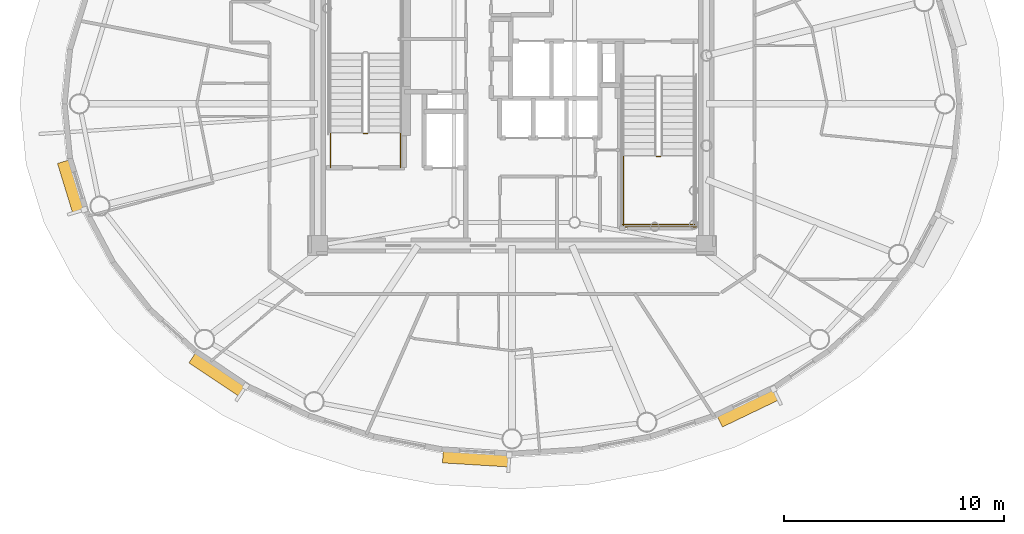
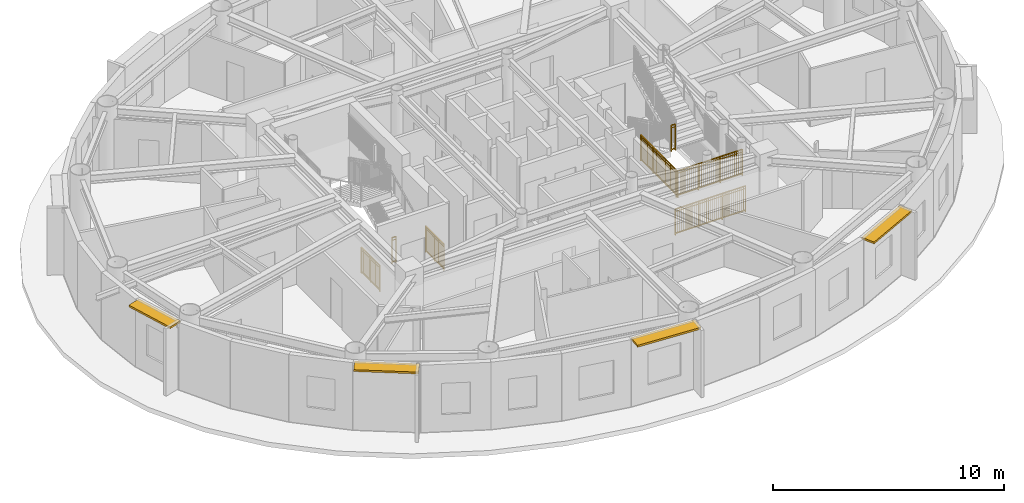
# One storey, part 12 of 17: 7 railings, 4 shading devices.
"""IFC4 building model written with IfcOpenShell, lengths in metres."""

from ifc_helpers import new_model, si_unit, direction, frame, origin, origin_2d, place, context, subcontext, project, spatial, rectangle, extrude, source, transform, mapped, material, layer, layer_set, type_object, element, save


model = new_model("IFC4")

# Units and contexts
model_context = context("Model", 3, precision=1e-05, world=origin(), true_north=direction((0.0, 1.0)))
body_context = subcontext(model_context, "Body", "Model", "MODEL_VIEW")
ifc_project = project(units=[si_unit("LENGTHUNIT", "METRE"), si_unit("AREAUNIT", "SQUARE_METRE"), si_unit("VOLUMEUNIT", "CUBIC_METRE"), si_unit("PLANEANGLEUNIT", "RADIAN"), si_unit("MASSUNIT", "GRAM", prefix="KILO")], contexts=[model_context])

# Site, building, storey
site_placement = place(None, origin())
site = spatial("IfcSite", under=ifc_project, at=site_placement, CompositionType="ELEMENT")
building_placement = place(site_placement, origin())
building = spatial("IfcBuilding", under=site, at=building_placement, Name="Linh Dai School and Residence Tower", CompositionType="ELEMENT")
storey_placement = place(building_placement, frame((0.0, 0.0, 324.0)))
storey = spatial("IfcBuildingStorey", under=building, at=storey_placement, Name="L80", CompositionType="ELEMENT", Elevation=324.0)

# Shading devices
ifc_material_1 = material(Name="Terracotta Ceramic Sunshade", Category="masonry")
ifc_layer = layer(ifc_material_1, 0.10009765625)
ifc_layer_set = layer_set([ifc_layer], Name="Terracotta Ceramic Sunshade")
shading_device_type = type_object("IfcShadingDeviceType", Name="SHD-TC-650", PredefinedType="USERDEFINED", material=ifc_layer_set)
shared_shape_1 = source(origin(), body_context, "Body", "SweptSolid", [
    extrude(rectangle(XDim=2.4365234375, YDim=0.64990234375, at=origin_2d()), origin(), (0.0, 0.0, 1.0), 0.10009765625),
])
shading_device_1_placement = place(storey_placement, frame((15.974365234375, 23.21630859375, 3.429931640625), z_axis=(0.0, 0.0, 1.0), x_axis=(-0.293094784248, 0.956083389379, 0.0)))
element("IfcShadingDevice", 1, at=shading_device_1_placement, inside=storey, type_object=shading_device_type, Name="L80 Terracotta Horizontal Sunshade Band 22", ObjectType="SUNSHADE", PredefinedType="USERDEFINED", context=body_context, shape_type="MappedRepresentation", body=[
    mapped(shared_shape_1, transform((0.0, 0.0, 0.0), x_axis=(1.0, 0.0, 0.0), y_axis=(0.0, 1.0, 0.0), z_axis=(0.0, 0.0, 1.0), scale=1.0)),
])
shared_shape_2 = source(origin(), body_context, "Body", "SweptSolid", [
    extrude(rectangle(XDim=2.8076171875, YDim=0.64990234375, at=origin_2d()), origin(), (0.0, 0.0, 1.0), 0.10009765625),
])
shading_device_2_placement = place(storey_placement, frame((22.638427734375, 14.696044921875, 3.429931640625), z_axis=(0.0, 0.0, 1.0), x_axis=(-0.831201837679, 0.555970777144, 0.0)))
element("IfcShadingDevice", 2, at=shading_device_2_placement, inside=storey, type_object=shading_device_type, Name="L80 Terracotta Horizontal Sunshade Band 26", ObjectType="SUNSHADE", PredefinedType="USERDEFINED", context=body_context, shape_type="MappedRepresentation", body=[
    mapped(shared_shape_2, transform((0.0, 0.0, 0.0), x_axis=(1.0, 0.0, 0.0), y_axis=(0.0, 1.0, 0.0), z_axis=(0.0, 0.0, 1.0), scale=1.0)),
])
shared_shape_3 = source(origin(), body_context, "Body", "SweptSolid", [
    extrude(rectangle(XDim=3.069580078125, YDim=0.64990234375, at=origin_2d()), origin(), (0.0, 0.0, 1.0), 0.10009765625),
])
shading_device_3_placement = place(storey_placement, frame((34.38671875, 10.8837890625, 3.429931640625), z_axis=(0.0, 0.0, 1.0), x_axis=(-0.998105945335, 0.061518467854, 0.0)))
element("IfcShadingDevice", 3, at=shading_device_3_placement, inside=storey, type_object=shading_device_type, Name="L80 Terracotta Horizontal Sunshade Band 30", ObjectType="SUNSHADE", PredefinedType="USERDEFINED", context=body_context, shape_type="MappedRepresentation", body=[
    mapped(shared_shape_3, transform((0.0, 0.0, 0.0), x_axis=(1.0, 0.0, 0.0), y_axis=(0.0, 1.0, 0.0), z_axis=(0.0, 0.0, 1.0), scale=1.0)),
])
shared_shape_4 = source(origin(), body_context, "Body", "SweptSolid", [
    extrude(rectangle(XDim=2.904052734375, YDim=0.64990234375, at=origin_2d()), origin(), (0.0, 0.0, 1.0), 0.10009765625),
])
shading_device_4_placement = place(storey_placement, frame((46.74755859375, 13.20849609375, 3.429931640625), z_axis=(0.0, 0.0, 1.0), x_axis=(-0.901550652892, -0.432673572419, 0.0)))
element("IfcShadingDevice", 4, at=shading_device_4_placement, inside=storey, type_object=shading_device_type, Name="L80 Terracotta Horizontal Sunshade Band 34", ObjectType="SUNSHADE", PredefinedType="USERDEFINED", context=body_context, shape_type="MappedRepresentation", body=[
    mapped(shared_shape_4, transform((0.0, 0.0, 0.0), x_axis=(1.0, 0.0, 0.0), y_axis=(0.0, 1.0, 0.0), z_axis=(0.0, 0.0, 1.0), scale=1.0)),
])

# Railings
ifc_material_2 = material(Name="Structural Steel S355JR", Category="steel")
railing_type = type_object("IfcRailingType", Name="RL-ST-GUARD-1400", PredefinedType="GUARDRAIL", material=ifc_material_2)
shared_shape_5 = source(origin(), body_context, "Body", "SweptSolid", [
    extrude(rectangle(XDim=0.048095703125, YDim=0.048095703125, at=origin_2d()), frame((0.0, 0.0, 1.3759765625), z_axis=(-1.0, 0.0, 0.0), x_axis=(0.0, -1.0, 0.0)), (0.0, 0.0, 1.0), 0.199951171875),
    extrude(rectangle(XDim=0.048095703125, YDim=0.048095703125, at=origin_2d()), frame((0.0, 0.0, 0.10009765625), z_axis=(-1.0, 0.0, 0.0), x_axis=(0.0, -1.0, 0.0)), (0.0, 0.0, 1.0), 0.199951171875),
    extrude(rectangle(XDim=0.030029296875, YDim=0.030029296875, at=origin_2d()), frame((0.0, 0.0, 1.239990234375), z_axis=(-1.0, 0.0, 0.0), x_axis=(0.0, -1.0, 0.0)), (0.0, 0.0, 1.0), 0.199951171875),
    extrude(rectangle(XDim=0.0419921875, YDim=0.0419921875, at=origin_2d()), origin(), (0.0, 0.0, 1.0), 1.3759765625),
    extrude(rectangle(XDim=0.0419921875, YDim=0.0419921875, at=origin_2d()), frame((-0.199951171875, 0.0, 0.0)), (0.0, 0.0, 1.0), 1.3759765625),
])
railing_1_placement = place(storey_placement, frame((29.429931640625, 25.64990234375, 0.0)))
element("IfcRailing", 5, at=railing_1_placement, inside=storey, type_object=railing_type, Name="L80 ST1 stair guard 7", PredefinedType="GUARDRAIL", context=body_context, shape_type="MappedRepresentation", body=[
    mapped(shared_shape_5, transform((0.0, 0.0, 0.0), x_axis=(1.0, 0.0, 0.0), y_axis=(0.0, 1.0, 0.0), z_axis=(0.0, 0.0, 1.0), scale=1.0)),
])
shared_shape_6 = source(origin(), body_context, "Body", "SweptSolid", [
    extrude(rectangle(XDim=0.048095703125, YDim=0.048095703125, at=origin_2d()), frame((0.0, 0.0, 1.3759765625), z_axis=(0.0, 1.0, 0.0), x_axis=(-1.0, 0.0, 0.0)), (0.0, 0.0, 1.0), 1.599853515625),
    extrude(rectangle(XDim=0.048095703125, YDim=0.048095703125, at=origin_2d()), frame((0.0, 0.0, 0.10009765625), z_axis=(0.0, 1.0, 0.0), x_axis=(-1.0, 0.0, 0.0)), (0.0, 0.0, 1.0), 1.599853515625),
    extrude(rectangle(XDim=0.030029296875, YDim=0.030029296875, at=origin_2d()), frame((0.0, 0.0, 1.239990234375), z_axis=(0.0, 1.0, 0.0), x_axis=(-1.0, 0.0, 0.0)), (0.0, 0.0, 1.0), 1.599853515625),
    extrude(rectangle(XDim=0.02001953125, YDim=0.02001953125, at=origin_2d()), frame((0.0, 0.093994140625, 0.10009765625)), (0.0, 0.0, 1.0), 1.251708984375),
    extrude(rectangle(XDim=0.02001953125, YDim=0.02001953125, at=origin_2d()), frame((0.0, 0.188232421875, 0.10009765625)), (0.0, 0.0, 1.0), 1.251708984375),
    extrude(rectangle(XDim=0.02001953125, YDim=0.02001953125, at=origin_2d()), frame((0.0, 0.2822265625, 0.10009765625)), (0.0, 0.0, 1.0), 1.251708984375),
    extrude(rectangle(XDim=0.02001953125, YDim=0.02001953125, at=origin_2d()), frame((0.0, 0.37646484375, 0.10009765625)), (0.0, 0.0, 1.0), 1.251708984375),
    extrude(rectangle(XDim=0.02001953125, YDim=0.02001953125, at=origin_2d()), frame((0.0, 0.470458984375, 0.10009765625)), (0.0, 0.0, 1.0), 1.251708984375),
    extrude(rectangle(XDim=0.02001953125, YDim=0.02001953125, at=origin_2d()), frame((0.0, 0.564697265625, 0.10009765625)), (0.0, 0.0, 1.0), 1.251708984375),
    extrude(rectangle(XDim=0.02001953125, YDim=0.02001953125, at=origin_2d()), frame((0.0, 0.65869140625, 0.10009765625)), (0.0, 0.0, 1.0), 1.251708984375),
    extrude(rectangle(XDim=0.02001953125, YDim=0.02001953125, at=origin_2d()), frame((0.0, 0.7529296875, 0.10009765625)), (0.0, 0.0, 1.0), 1.251708984375),
    extrude(rectangle(XDim=0.02001953125, YDim=0.02001953125, at=origin_2d()), frame((0.0, 0.846923828125, 0.10009765625)), (0.0, 0.0, 1.0), 1.251708984375),
    extrude(rectangle(XDim=0.02001953125, YDim=0.02001953125, at=origin_2d()), frame((0.0, 0.941162109375, 0.10009765625)), (0.0, 0.0, 1.0), 1.251708984375),
    extrude(rectangle(XDim=0.02001953125, YDim=0.02001953125, at=origin_2d()), frame((0.0, 1.03515625, 0.10009765625)), (0.0, 0.0, 1.0), 1.251708984375),
    extrude(rectangle(XDim=0.02001953125, YDim=0.02001953125, at=origin_2d()), frame((0.0, 1.12939453125, 0.10009765625)), (0.0, 0.0, 1.0), 1.251708984375),
    extrude(rectangle(XDim=0.02001953125, YDim=0.02001953125, at=origin_2d()), frame((0.0, 1.223388671875, 0.10009765625)), (0.0, 0.0, 1.0), 1.251708984375),
    extrude(rectangle(XDim=0.02001953125, YDim=0.02001953125, at=origin_2d()), frame((0.0, 1.317626953125, 0.10009765625)), (0.0, 0.0, 1.0), 1.251708984375),
    extrude(rectangle(XDim=0.02001953125, YDim=0.02001953125, at=origin_2d()), frame((0.0, 1.41162109375, 0.10009765625)), (0.0, 0.0, 1.0), 1.251708984375),
    extrude(rectangle(XDim=0.02001953125, YDim=0.02001953125, at=origin_2d()), frame((0.0, 1.505859375, 0.10009765625)), (0.0, 0.0, 1.0), 1.251708984375),
    extrude(rectangle(XDim=0.0419921875, YDim=0.0419921875, at=origin_2d()), origin(), (0.0, 0.0, 1.0), 1.3759765625),
    extrude(rectangle(XDim=0.0419921875, YDim=0.0419921875, at=origin_2d()), frame((0.0, 0.7998046875, 0.0)), (0.0, 0.0, 1.0), 1.3759765625),
    extrude(rectangle(XDim=0.0419921875, YDim=0.0419921875, at=origin_2d()), frame((0.0, 1.599853515625, 0.0)), (0.0, 0.0, 1.0), 1.3759765625),
])
for number, where, name in (
    (6, (30.929931640625, 24.10009765625, 0.0), "L80 ST1 stair guard 8"),
    (7, (27.72998046875, 24.10009765625, 0.0), "L80 ST1 stair guard 9"),
):
    element("IfcRailing", number, at=place(storey_placement, frame(where)), inside=storey, type_object=railing_type, Name=name, PredefinedType="GUARDRAIL", context=body_context, shape_type="MappedRepresentation", body=[
        mapped(shared_shape_6, transform((0.0, 0.0, 0.0), x_axis=(1.0, 0.0, 0.0), y_axis=(0.0, 1.0, 0.0), z_axis=(0.0, 0.0, 1.0), scale=1.0)),
    ])
shared_shape_7 = source(origin(), body_context, "Body", "SweptSolid", [
    extrude(rectangle(XDim=0.048095703125, YDim=0.048095703125, at=origin_2d()), frame((0.0, 0.0, 1.3759765625), z_axis=(1.0, 0.0, 0.0), x_axis=(0.0, 1.0, 0.0)), (0.0, 0.0, 1.0), 0.199951171875),
    extrude(rectangle(XDim=0.048095703125, YDim=0.048095703125, at=origin_2d()), frame((0.0, 0.0, 0.10009765625), z_axis=(1.0, 0.0, 0.0), x_axis=(0.0, 1.0, 0.0)), (0.0, 0.0, 1.0), 0.199951171875),
    extrude(rectangle(XDim=0.030029296875, YDim=0.030029296875, at=origin_2d()), frame((0.0, 0.0, 1.239990234375), z_axis=(1.0, 0.0, 0.0), x_axis=(0.0, 1.0, 0.0)), (0.0, 0.0, 1.0), 0.199951171875),
    extrude(rectangle(XDim=0.0419921875, YDim=0.0419921875, at=origin_2d()), origin(), (0.0, 0.0, 1.0), 1.3759765625),
    extrude(rectangle(XDim=0.0419921875, YDim=0.0419921875, at=origin_2d()), frame((0.199951171875, 0.0, 0.0)), (0.0, 0.0, 1.0), 1.3759765625),
])
railing_2_placement = place(storey_placement, frame((42.570068359375, 24.60009765625, 1.89990234375)))
element("IfcRailing", 8, at=railing_2_placement, inside=storey, type_object=railing_type, Name="L80 ST2 stair guard 2", PredefinedType="GUARDRAIL", context=body_context, shape_type="MappedRepresentation", body=[
    mapped(shared_shape_7, transform((0.0, 0.0, 0.0), x_axis=(1.0, 0.0, 0.0), y_axis=(0.0, 1.0, 0.0), z_axis=(0.0, 0.0, 1.0), scale=1.0)),
])
shared_shape_8 = source(origin(), body_context, "Body", "SweptSolid", [
    extrude(rectangle(XDim=0.048095703125, YDim=0.048095703125, at=origin_2d()), frame((0.0, 0.0, 1.3759765625), z_axis=(1.0, 0.0, 0.0), x_axis=(0.0, 1.0, 0.0)), (0.0, 0.0, 1.0), 3.300048828125),
    extrude(rectangle(XDim=0.048095703125, YDim=0.048095703125, at=origin_2d()), frame((0.0, 0.0, 0.10009765625), z_axis=(1.0, 0.0, 0.0), x_axis=(0.0, 1.0, 0.0)), (0.0, 0.0, 1.0), 3.300048828125),
    extrude(rectangle(XDim=0.030029296875, YDim=0.030029296875, at=origin_2d()), frame((0.0, 0.0, 1.239990234375), z_axis=(1.0, 0.0, 0.0), x_axis=(0.0, 1.0, 0.0)), (0.0, 0.0, 1.0), 3.300048828125),
    extrude(rectangle(XDim=0.02001953125, YDim=0.02001953125, at=origin_2d()), frame((0.09716796875, 0.0, 0.10009765625)), (0.0, 0.0, 1.0), 1.251708984375),
    extrude(rectangle(XDim=0.02001953125, YDim=0.02001953125, at=origin_2d()), frame((0.194091796875, 0.0, 0.10009765625)), (0.0, 0.0, 1.0), 1.251708984375),
    extrude(rectangle(XDim=0.02001953125, YDim=0.02001953125, at=origin_2d()), frame((0.291259765625, 0.0, 0.10009765625)), (0.0, 0.0, 1.0), 1.251708984375),
    extrude(rectangle(XDim=0.02001953125, YDim=0.02001953125, at=origin_2d()), frame((0.38818359375, 0.0, 0.10009765625)), (0.0, 0.0, 1.0), 1.251708984375),
    extrude(rectangle(XDim=0.02001953125, YDim=0.02001953125, at=origin_2d()), frame((0.4853515625, 0.0, 0.10009765625)), (0.0, 0.0, 1.0), 1.251708984375),
    extrude(rectangle(XDim=0.02001953125, YDim=0.02001953125, at=origin_2d()), frame((0.582275390625, 0.0, 0.10009765625)), (0.0, 0.0, 1.0), 1.251708984375),
    extrude(rectangle(XDim=0.02001953125, YDim=0.02001953125, at=origin_2d()), frame((0.679443359375, 0.0, 0.10009765625)), (0.0, 0.0, 1.0), 1.251708984375),
    extrude(rectangle(XDim=0.02001953125, YDim=0.02001953125, at=origin_2d()), frame((0.7763671875, 0.0, 0.10009765625)), (0.0, 0.0, 1.0), 1.251708984375),
    extrude(rectangle(XDim=0.02001953125, YDim=0.02001953125, at=origin_2d()), frame((0.87353515625, 0.0, 0.10009765625)), (0.0, 0.0, 1.0), 1.251708984375),
    extrude(rectangle(XDim=0.02001953125, YDim=0.02001953125, at=origin_2d()), frame((0.970703125, 0.0, 0.10009765625)), (0.0, 0.0, 1.0), 1.251708984375),
    extrude(rectangle(XDim=0.02001953125, YDim=0.02001953125, at=origin_2d()), frame((1.164794921875, 0.0, 0.10009765625)), (0.0, 0.0, 1.0), 1.251708984375),
    extrude(rectangle(XDim=0.02001953125, YDim=0.02001953125, at=origin_2d()), frame((1.26171875, 0.0, 0.10009765625)), (0.0, 0.0, 1.0), 1.251708984375),
    extrude(rectangle(XDim=0.02001953125, YDim=0.02001953125, at=origin_2d()), frame((1.35888671875, 0.0, 0.10009765625)), (0.0, 0.0, 1.0), 1.251708984375),
    extrude(rectangle(XDim=0.02001953125, YDim=0.02001953125, at=origin_2d()), frame((1.455810546875, 0.0, 0.10009765625)), (0.0, 0.0, 1.0), 1.251708984375),
    extrude(rectangle(XDim=0.02001953125, YDim=0.02001953125, at=origin_2d()), frame((1.552978515625, 0.0, 0.10009765625)), (0.0, 0.0, 1.0), 1.251708984375),
    extrude(rectangle(XDim=0.02001953125, YDim=0.02001953125, at=origin_2d()), frame((1.64990234375, 0.0, 0.10009765625)), (0.0, 0.0, 1.0), 1.251708984375),
    extrude(rectangle(XDim=0.02001953125, YDim=0.02001953125, at=origin_2d()), frame((1.7470703125, 0.0, 0.10009765625)), (0.0, 0.0, 1.0), 1.251708984375),
    extrude(rectangle(XDim=0.02001953125, YDim=0.02001953125, at=origin_2d()), frame((1.84423828125, 0.0, 0.10009765625)), (0.0, 0.0, 1.0), 1.251708984375),
    extrude(rectangle(XDim=0.02001953125, YDim=0.02001953125, at=origin_2d()), frame((1.941162109375, 0.0, 0.10009765625)), (0.0, 0.0, 1.0), 1.251708984375),
    extrude(rectangle(XDim=0.02001953125, YDim=0.02001953125, at=origin_2d()), frame((2.038330078125, 0.0, 0.10009765625)), (0.0, 0.0, 1.0), 1.251708984375),
    extrude(rectangle(XDim=0.02001953125, YDim=0.02001953125, at=origin_2d()), frame((2.13525390625, 0.0, 0.10009765625)), (0.0, 0.0, 1.0), 1.251708984375),
    extrude(rectangle(XDim=0.02001953125, YDim=0.02001953125, at=origin_2d()), frame((2.329345703125, 0.0, 0.10009765625)), (0.0, 0.0, 1.0), 1.251708984375),
    extrude(rectangle(XDim=0.02001953125, YDim=0.02001953125, at=origin_2d()), frame((2.426513671875, 0.0, 0.10009765625)), (0.0, 0.0, 1.0), 1.251708984375),
    extrude(rectangle(XDim=0.02001953125, YDim=0.02001953125, at=origin_2d()), frame((2.523681640625, 0.0, 0.10009765625)), (0.0, 0.0, 1.0), 1.251708984375),
    extrude(rectangle(XDim=0.02001953125, YDim=0.02001953125, at=origin_2d()), frame((2.62060546875, 0.0, 0.10009765625)), (0.0, 0.0, 1.0), 1.251708984375),
    extrude(rectangle(XDim=0.02001953125, YDim=0.02001953125, at=origin_2d()), frame((2.7177734375, 0.0, 0.10009765625)), (0.0, 0.0, 1.0), 1.251708984375),
    extrude(rectangle(XDim=0.02001953125, YDim=0.02001953125, at=origin_2d()), frame((2.814697265625, 0.0, 0.10009765625)), (0.0, 0.0, 1.0), 1.251708984375),
    extrude(rectangle(XDim=0.02001953125, YDim=0.02001953125, at=origin_2d()), frame((2.911865234375, 0.0, 0.10009765625)), (0.0, 0.0, 1.0), 1.251708984375),
    extrude(rectangle(XDim=0.02001953125, YDim=0.02001953125, at=origin_2d()), frame((3.0087890625, 0.0, 0.10009765625)), (0.0, 0.0, 1.0), 1.251708984375),
    extrude(rectangle(XDim=0.02001953125, YDim=0.02001953125, at=origin_2d()), frame((3.10595703125, 0.0, 0.10009765625)), (0.0, 0.0, 1.0), 1.251708984375),
    extrude(rectangle(XDim=0.02001953125, YDim=0.02001953125, at=origin_2d()), frame((3.202880859375, 0.0, 0.10009765625)), (0.0, 0.0, 1.0), 1.251708984375),
    extrude(rectangle(XDim=0.0419921875, YDim=0.0419921875, at=origin_2d()), origin(), (0.0, 0.0, 1.0), 1.3759765625),
    extrude(rectangle(XDim=0.0419921875, YDim=0.0419921875, at=origin_2d()), frame((1.10009765625, 0.0, 0.0)), (0.0, 0.0, 1.0), 1.3759765625),
    extrude(rectangle(XDim=0.0419921875, YDim=0.0419921875, at=origin_2d()), frame((2.199951171875, 0.0, 0.0)), (0.0, 0.0, 1.0), 1.3759765625),
    extrude(rectangle(XDim=0.0419921875, YDim=0.0419921875, at=origin_2d()), frame((3.300048828125, 0.0, 0.0)), (0.0, 0.0, 1.0), 1.3759765625),
])
railing_3_placement = place(storey_placement, frame((41.02001953125, 21.5, 1.89990234375)))
element("IfcRailing", 9, at=railing_3_placement, inside=storey, type_object=railing_type, Name="L80 ST2 stair guard 5", PredefinedType="GUARDRAIL", context=body_context, shape_type="MappedRepresentation", body=[
    mapped(shared_shape_8, transform((0.0, 0.0, 0.0), x_axis=(1.0, 0.0, 0.0), y_axis=(0.0, 1.0, 0.0), z_axis=(0.0, 0.0, 1.0), scale=1.0)),
])
shared_shape_9 = source(origin(), body_context, "Body", "SweptSolid", [
    extrude(rectangle(XDim=0.048095703125, YDim=0.048095703125, at=origin_2d()), frame((0.0, 0.0, 1.3759765625), z_axis=(1.0, 0.0, 0.0), x_axis=(0.0, 1.0, 0.0)), (0.0, 0.0, 1.0), 3.5),
    extrude(rectangle(XDim=0.048095703125, YDim=0.048095703125, at=origin_2d()), frame((0.0, 0.0, 0.10009765625), z_axis=(1.0, 0.0, 0.0), x_axis=(0.0, 1.0, 0.0)), (0.0, 0.0, 1.0), 3.5),
    extrude(rectangle(XDim=0.030029296875, YDim=0.030029296875, at=origin_2d()), frame((0.0, 0.0, 1.239990234375), z_axis=(1.0, 0.0, 0.0), x_axis=(0.0, 1.0, 0.0)), (0.0, 0.0, 1.0), 3.5),
    extrude(rectangle(XDim=0.02001953125, YDim=0.02001953125, at=origin_2d()), frame((0.09716796875, 0.0, 0.10009765625)), (0.0, 0.0, 1.0), 1.251708984375),
    extrude(rectangle(XDim=0.02001953125, YDim=0.02001953125, at=origin_2d()), frame((0.1943359375, 0.0, 0.10009765625)), (0.0, 0.0, 1.0), 1.251708984375),
    extrude(rectangle(XDim=0.02001953125, YDim=0.02001953125, at=origin_2d()), frame((0.291748046875, 0.0, 0.10009765625)), (0.0, 0.0, 1.0), 1.251708984375),
    extrude(rectangle(XDim=0.02001953125, YDim=0.02001953125, at=origin_2d()), frame((0.388916015625, 0.0, 0.10009765625)), (0.0, 0.0, 1.0), 1.251708984375),
    extrude(rectangle(XDim=0.02001953125, YDim=0.02001953125, at=origin_2d()), frame((0.486083984375, 0.0, 0.10009765625)), (0.0, 0.0, 1.0), 1.251708984375),
    extrude(rectangle(XDim=0.02001953125, YDim=0.02001953125, at=origin_2d()), frame((0.583251953125, 0.0, 0.10009765625)), (0.0, 0.0, 1.0), 1.251708984375),
    extrude(rectangle(XDim=0.02001953125, YDim=0.02001953125, at=origin_2d()), frame((0.6806640625, 0.0, 0.10009765625)), (0.0, 0.0, 1.0), 1.251708984375),
    extrude(rectangle(XDim=0.02001953125, YDim=0.02001953125, at=origin_2d()), frame((0.77783203125, 0.0, 0.10009765625)), (0.0, 0.0, 1.0), 1.251708984375),
    extrude(rectangle(XDim=0.02001953125, YDim=0.02001953125, at=origin_2d()), frame((0.875, 0.0, 0.10009765625)), (0.0, 0.0, 1.0), 1.251708984375),
    extrude(rectangle(XDim=0.02001953125, YDim=0.02001953125, at=origin_2d()), frame((0.97216796875, 0.0, 0.10009765625)), (0.0, 0.0, 1.0), 1.251708984375),
    extrude(rectangle(XDim=0.02001953125, YDim=0.02001953125, at=origin_2d()), frame((1.0693359375, 0.0, 0.10009765625)), (0.0, 0.0, 1.0), 1.251708984375),
    extrude(rectangle(XDim=0.02001953125, YDim=0.02001953125, at=origin_2d()), frame((1.263916015625, 0.0, 0.10009765625)), (0.0, 0.0, 1.0), 1.251708984375),
    extrude(rectangle(XDim=0.02001953125, YDim=0.02001953125, at=origin_2d()), frame((1.361083984375, 0.0, 0.10009765625)), (0.0, 0.0, 1.0), 1.251708984375),
    extrude(rectangle(XDim=0.02001953125, YDim=0.02001953125, at=origin_2d()), frame((1.458251953125, 0.0, 0.10009765625)), (0.0, 0.0, 1.0), 1.251708984375),
    extrude(rectangle(XDim=0.02001953125, YDim=0.02001953125, at=origin_2d()), frame((1.5556640625, 0.0, 0.10009765625)), (0.0, 0.0, 1.0), 1.251708984375),
    extrude(rectangle(XDim=0.02001953125, YDim=0.02001953125, at=origin_2d()), frame((1.65283203125, 0.0, 0.10009765625)), (0.0, 0.0, 1.0), 1.251708984375),
    extrude(rectangle(XDim=0.02001953125, YDim=0.02001953125, at=origin_2d()), frame((1.75, 0.0, 0.10009765625)), (0.0, 0.0, 1.0), 1.251708984375),
    extrude(rectangle(XDim=0.02001953125, YDim=0.02001953125, at=origin_2d()), frame((1.84716796875, 0.0, 0.10009765625)), (0.0, 0.0, 1.0), 1.251708984375),
    extrude(rectangle(XDim=0.02001953125, YDim=0.02001953125, at=origin_2d()), frame((1.9443359375, 0.0, 0.10009765625)), (0.0, 0.0, 1.0), 1.251708984375),
    extrude(rectangle(XDim=0.02001953125, YDim=0.02001953125, at=origin_2d()), frame((2.041748046875, 0.0, 0.10009765625)), (0.0, 0.0, 1.0), 1.251708984375),
    extrude(rectangle(XDim=0.02001953125, YDim=0.02001953125, at=origin_2d()), frame((2.138916015625, 0.0, 0.10009765625)), (0.0, 0.0, 1.0), 1.251708984375),
    extrude(rectangle(XDim=0.02001953125, YDim=0.02001953125, at=origin_2d()), frame((2.236083984375, 0.0, 0.10009765625)), (0.0, 0.0, 1.0), 1.251708984375),
    extrude(rectangle(XDim=0.02001953125, YDim=0.02001953125, at=origin_2d()), frame((2.4306640625, 0.0, 0.10009765625)), (0.0, 0.0, 1.0), 1.251708984375),
    extrude(rectangle(XDim=0.02001953125, YDim=0.02001953125, at=origin_2d()), frame((2.52783203125, 0.0, 0.10009765625)), (0.0, 0.0, 1.0), 1.251708984375),
    extrude(rectangle(XDim=0.02001953125, YDim=0.02001953125, at=origin_2d()), frame((2.625, 0.0, 0.10009765625)), (0.0, 0.0, 1.0), 1.251708984375),
    extrude(rectangle(XDim=0.02001953125, YDim=0.02001953125, at=origin_2d()), frame((2.72216796875, 0.0, 0.10009765625)), (0.0, 0.0, 1.0), 1.251708984375),
    extrude(rectangle(XDim=0.02001953125, YDim=0.02001953125, at=origin_2d()), frame((2.8193359375, 0.0, 0.10009765625)), (0.0, 0.0, 1.0), 1.251708984375),
    extrude(rectangle(XDim=0.02001953125, YDim=0.02001953125, at=origin_2d()), frame((2.916748046875, 0.0, 0.10009765625)), (0.0, 0.0, 1.0), 1.251708984375),
    extrude(rectangle(XDim=0.02001953125, YDim=0.02001953125, at=origin_2d()), frame((3.013916015625, 0.0, 0.10009765625)), (0.0, 0.0, 1.0), 1.251708984375),
    extrude(rectangle(XDim=0.02001953125, YDim=0.02001953125, at=origin_2d()), frame((3.111083984375, 0.0, 0.10009765625)), (0.0, 0.0, 1.0), 1.251708984375),
    extrude(rectangle(XDim=0.02001953125, YDim=0.02001953125, at=origin_2d()), frame((3.208251953125, 0.0, 0.10009765625)), (0.0, 0.0, 1.0), 1.251708984375),
    extrude(rectangle(XDim=0.02001953125, YDim=0.02001953125, at=origin_2d()), frame((3.3056640625, 0.0, 0.10009765625)), (0.0, 0.0, 1.0), 1.251708984375),
    extrude(rectangle(XDim=0.02001953125, YDim=0.02001953125, at=origin_2d()), frame((3.40283203125, 0.0, 0.10009765625)), (0.0, 0.0, 1.0), 1.251708984375),
    extrude(rectangle(XDim=0.0419921875, YDim=0.0419921875, at=origin_2d()), origin(), (0.0, 0.0, 1.0), 1.3759765625),
    extrude(rectangle(XDim=0.0419921875, YDim=0.0419921875, at=origin_2d()), frame((1.166748046875, 0.0, 0.0)), (0.0, 0.0, 1.0), 1.3759765625),
    extrude(rectangle(XDim=0.0419921875, YDim=0.0419921875, at=origin_2d()), frame((2.333251953125, 0.0, 0.0)), (0.0, 0.0, 1.0), 1.3759765625),
    extrude(rectangle(XDim=0.0419921875, YDim=0.0419921875, at=origin_2d()), frame((3.5, 0.0, 0.0)), (0.0, 0.0, 1.0), 1.3759765625),
])
railing_4_placement = place(storey_placement, frame((40.919921875, 21.39990234375, 0.0)))
element("IfcRailing", 10, at=railing_4_placement, inside=storey, type_object=railing_type, Name="L80 ST2 stair guard 12", PredefinedType="GUARDRAIL", context=body_context, shape_type="MappedRepresentation", body=[
    mapped(shared_shape_9, transform((0.0, 0.0, 0.0), x_axis=(1.0, 0.0, 0.0), y_axis=(0.0, 1.0, 0.0), z_axis=(0.0, 0.0, 1.0), scale=1.0)),
])
shared_shape_10 = source(origin(), body_context, "Body", "SweptSolid", [
    extrude(rectangle(XDim=0.048095703125, YDim=0.048095703125, at=origin_2d()), frame((0.0, 0.0, 1.3759765625), z_axis=(0.0, -1.0, 0.0), x_axis=(1.0, 0.0, 0.0)), (0.0, 0.0, 1.0), 3.199951171875),
    extrude(rectangle(XDim=0.048095703125, YDim=0.048095703125, at=origin_2d()), frame((0.0, 0.0, 0.10009765625), z_axis=(0.0, -1.0, 0.0), x_axis=(1.0, 0.0, 0.0)), (0.0, 0.0, 1.0), 3.199951171875),
    extrude(rectangle(XDim=0.030029296875, YDim=0.030029296875, at=origin_2d()), frame((0.0, 0.0, 1.239990234375), z_axis=(0.0, -1.0, 0.0), x_axis=(1.0, 0.0, 0.0)), (0.0, 0.0, 1.0), 3.199951171875),
    extrude(rectangle(XDim=0.02001953125, YDim=0.02001953125, at=origin_2d()), frame((0.0, -0.096923828125, 0.10009765625)), (0.0, 0.0, 1.0), 1.251708984375),
    extrude(rectangle(XDim=0.02001953125, YDim=0.02001953125, at=origin_2d()), frame((0.0, -0.19384765625, 0.10009765625)), (0.0, 0.0, 1.0), 1.251708984375),
    extrude(rectangle(XDim=0.02001953125, YDim=0.02001953125, at=origin_2d()), frame((0.0, -0.291015625, 0.10009765625)), (0.0, 0.0, 1.0), 1.251708984375),
    extrude(rectangle(XDim=0.02001953125, YDim=0.02001953125, at=origin_2d()), frame((0.0, -0.387939453125, 0.10009765625)), (0.0, 0.0, 1.0), 1.251708984375),
    extrude(rectangle(XDim=0.02001953125, YDim=0.02001953125, at=origin_2d()), frame((0.0, -0.48486328125, 0.10009765625)), (0.0, 0.0, 1.0), 1.251708984375),
    extrude(rectangle(XDim=0.02001953125, YDim=0.02001953125, at=origin_2d()), frame((0.0, -0.581787109375, 0.10009765625)), (0.0, 0.0, 1.0), 1.251708984375),
    extrude(rectangle(XDim=0.02001953125, YDim=0.02001953125, at=origin_2d()), frame((0.0, -0.6787109375, 0.10009765625)), (0.0, 0.0, 1.0), 1.251708984375),
    extrude(rectangle(XDim=0.02001953125, YDim=0.02001953125, at=origin_2d()), frame((0.0, -0.775634765625, 0.10009765625)), (0.0, 0.0, 1.0), 1.251708984375),
    extrude(rectangle(XDim=0.02001953125, YDim=0.02001953125, at=origin_2d()), frame((0.0, -0.872802734375, 0.10009765625)), (0.0, 0.0, 1.0), 1.251708984375),
    extrude(rectangle(XDim=0.02001953125, YDim=0.02001953125, at=origin_2d()), frame((0.0, -0.9697265625, 0.10009765625)), (0.0, 0.0, 1.0), 1.251708984375),
    extrude(rectangle(XDim=0.02001953125, YDim=0.02001953125, at=origin_2d()), frame((0.0, -1.16357421875, 0.10009765625)), (0.0, 0.0, 1.0), 1.251708984375),
    extrude(rectangle(XDim=0.02001953125, YDim=0.02001953125, at=origin_2d()), frame((0.0, -1.260498046875, 0.10009765625)), (0.0, 0.0, 1.0), 1.251708984375),
    extrude(rectangle(XDim=0.02001953125, YDim=0.02001953125, at=origin_2d()), frame((0.0, -1.357666015625, 0.10009765625)), (0.0, 0.0, 1.0), 1.251708984375),
    extrude(rectangle(XDim=0.02001953125, YDim=0.02001953125, at=origin_2d()), frame((0.0, -1.45458984375, 0.10009765625)), (0.0, 0.0, 1.0), 1.251708984375),
    extrude(rectangle(XDim=0.02001953125, YDim=0.02001953125, at=origin_2d()), frame((0.0, -1.551513671875, 0.10009765625)), (0.0, 0.0, 1.0), 1.251708984375),
    extrude(rectangle(XDim=0.02001953125, YDim=0.02001953125, at=origin_2d()), frame((0.0, -1.6484375, 0.10009765625)), (0.0, 0.0, 1.0), 1.251708984375),
    extrude(rectangle(XDim=0.02001953125, YDim=0.02001953125, at=origin_2d()), frame((0.0, -1.745361328125, 0.10009765625)), (0.0, 0.0, 1.0), 1.251708984375),
    extrude(rectangle(XDim=0.02001953125, YDim=0.02001953125, at=origin_2d()), frame((0.0, -1.84228515625, 0.10009765625)), (0.0, 0.0, 1.0), 1.251708984375),
    extrude(rectangle(XDim=0.02001953125, YDim=0.02001953125, at=origin_2d()), frame((0.0, -1.939453125, 0.10009765625)), (0.0, 0.0, 1.0), 1.251708984375),
    extrude(rectangle(XDim=0.02001953125, YDim=0.02001953125, at=origin_2d()), frame((0.0, -2.036376953125, 0.10009765625)), (0.0, 0.0, 1.0), 1.251708984375),
    extrude(rectangle(XDim=0.02001953125, YDim=0.02001953125, at=origin_2d()), frame((0.0, -2.230224609375, 0.10009765625)), (0.0, 0.0, 1.0), 1.251708984375),
    extrude(rectangle(XDim=0.02001953125, YDim=0.02001953125, at=origin_2d()), frame((0.0, -2.3271484375, 0.10009765625)), (0.0, 0.0, 1.0), 1.251708984375),
    extrude(rectangle(XDim=0.02001953125, YDim=0.02001953125, at=origin_2d()), frame((0.0, -2.42431640625, 0.10009765625)), (0.0, 0.0, 1.0), 1.251708984375),
    extrude(rectangle(XDim=0.02001953125, YDim=0.02001953125, at=origin_2d()), frame((0.0, -2.521240234375, 0.10009765625)), (0.0, 0.0, 1.0), 1.251708984375),
    extrude(rectangle(XDim=0.02001953125, YDim=0.02001953125, at=origin_2d()), frame((0.0, -2.6181640625, 0.10009765625)), (0.0, 0.0, 1.0), 1.251708984375),
    extrude(rectangle(XDim=0.02001953125, YDim=0.02001953125, at=origin_2d()), frame((0.0, -2.715087890625, 0.10009765625)), (0.0, 0.0, 1.0), 1.251708984375),
    extrude(rectangle(XDim=0.02001953125, YDim=0.02001953125, at=origin_2d()), frame((0.0, -2.81201171875, 0.10009765625)), (0.0, 0.0, 1.0), 1.251708984375),
    extrude(rectangle(XDim=0.02001953125, YDim=0.02001953125, at=origin_2d()), frame((0.0, -2.908935546875, 0.10009765625)), (0.0, 0.0, 1.0), 1.251708984375),
    extrude(rectangle(XDim=0.02001953125, YDim=0.02001953125, at=origin_2d()), frame((0.0, -3.006103515625, 0.10009765625)), (0.0, 0.0, 1.0), 1.251708984375),
    extrude(rectangle(XDim=0.02001953125, YDim=0.02001953125, at=origin_2d()), frame((0.0, -3.10302734375, 0.10009765625)), (0.0, 0.0, 1.0), 1.251708984375),
    extrude(rectangle(XDim=0.0419921875, YDim=0.0419921875, at=origin_2d()), origin(), (0.0, 0.0, 1.0), 1.3759765625),
    extrude(rectangle(XDim=0.0419921875, YDim=0.0419921875, at=origin_2d()), frame((0.0, -1.066650390625, 0.0)), (0.0, 0.0, 1.0), 1.3759765625),
    extrude(rectangle(XDim=0.0419921875, YDim=0.0419921875, at=origin_2d()), frame((0.0, -2.13330078125, 0.0)), (0.0, 0.0, 1.0), 1.3759765625),
    extrude(rectangle(XDim=0.0419921875, YDim=0.0419921875, at=origin_2d()), frame((0.0, -3.199951171875, 0.0)), (0.0, 0.0, 1.0), 1.3759765625),
])
railing_5_placement = place(storey_placement, frame((41.070068359375, 24.64990234375, 1.89990234375)))
element("IfcRailing", 11, at=railing_5_placement, inside=storey, type_object=railing_type, Name="L80 ST2 stair guard 3", PredefinedType="GUARDRAIL", context=body_context, shape_type="MappedRepresentation", body=[
    mapped(shared_shape_10, transform((0.0, 0.0, 0.0), x_axis=(1.0, 0.0, 0.0), y_axis=(0.0, 1.0, 0.0), z_axis=(0.0, 0.0, 1.0), scale=1.0)),
])

save(model, "model.ifc")
